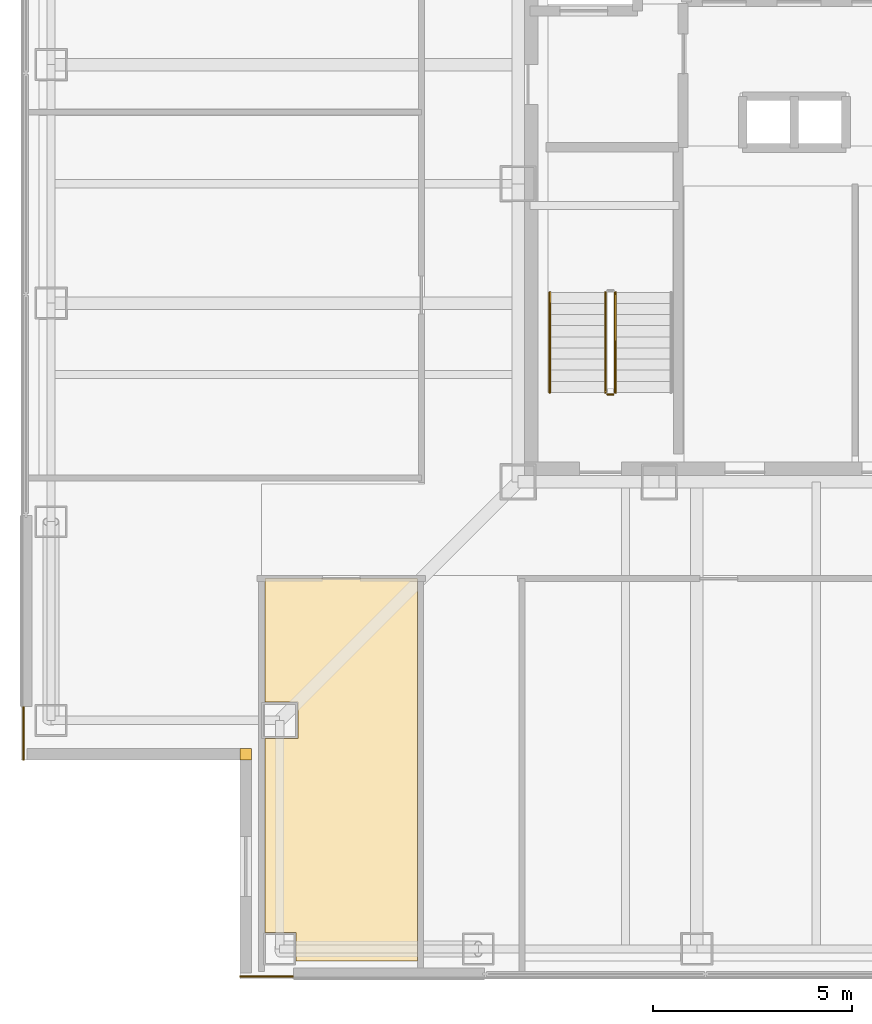
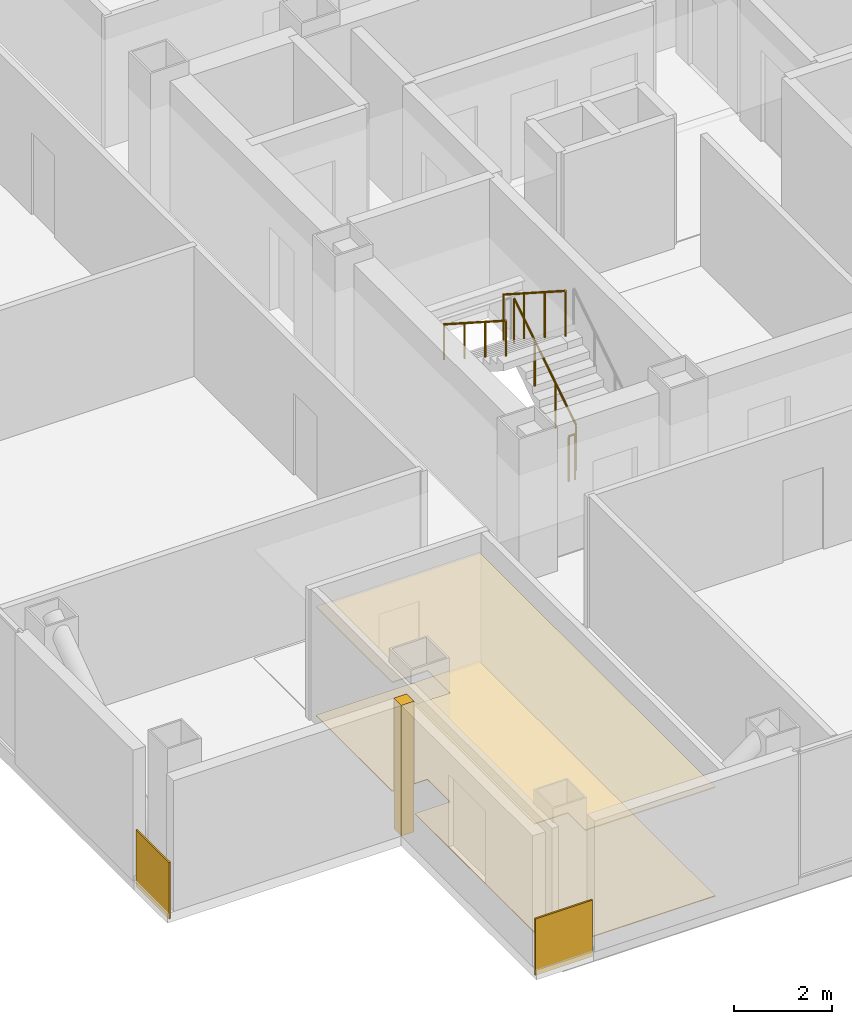
# One storey, part 11 of 16: 5 coverings, 4 railings.
"""IFC4 building model written with IfcOpenShell, lengths in metres."""

import ifcopenshell
import ifcopenshell.guid

model = None  # the IFC model being written
_history = None  # IfcOwnerHistory: only IFC2X3 demands one
_inside = {}  # id of a spatial element -> (the spatial element, [elements in it])
_under = {}  # id of a project, library or spatial element -> (it, [spatial elements below it])
_declared = {}  # id of a project -> (the project, [libraries it declares])
_typed = {}  # id of a type object -> (the type object, [elements of that type])
_made_of = {}  # id of a material, layer set ... -> (it, [elements and type objects made of it])


def new_model(schema):
    """Start an empty IFC model of exactly this schema.

    Asked for "IFC4X3", IfcOpenShell would pick the latest addendum, in which some entities
    have other attributes; the version numbers below select the first issue.
    IFC2X3 requires an IfcOwnerHistory on every rooted entity: one is made here for all.
    """
    global model, _history
    if schema == "IFC4X3":
        model = ifcopenshell.file(schema_version=(4, 3, 0, 0))
    else:
        model = ifcopenshell.file(schema=schema)
    _inside.clear()
    _under.clear()
    _declared.clear()
    _typed.clear()
    _made_of.clear()
    _history = None
    if model.schema == "IFC2X3":
        org = make("IfcOrganization", Name="unknown")
        user = make(
            "IfcPersonAndOrganization",
            ThePerson=make("IfcPerson", FamilyName="unknown"),
            TheOrganization=org,
        )
        app = make(
            "IfcApplication",
            ApplicationDeveloper=org,
            Version="unknown",
            ApplicationFullName="unknown",
            ApplicationIdentifier="unknown",
        )
        _history = make(
            "IfcOwnerHistory",
            OwningUser=user,
            OwningApplication=app,
            ChangeAction="ADDED",
            CreationDate=0,
        )
    return model


def make(cls, **values):
    """One entity of the class cls with the attributes given. An attribute that is None is left unset."""
    return model.create_entity(
        cls, **{name: value for name, value in values.items() if value is not None}
    )


def rooted(cls, **values):
    """An entity with a GlobalId (a new one), such as an element, a storey or a relation."""
    return make(cls, GlobalId=ifcopenshell.guid.new(), OwnerHistory=_history, **values)


def si_unit(unit_type, name, prefix=None):
    """IfcSIUnit, for example si_unit("LENGTHUNIT", "METRE", prefix="MILLI")."""
    return make("IfcSIUnit", UnitType=unit_type, Prefix=prefix, Name=name)


def assignment(units):
    """IfcUnitAssignment: the units of a project."""
    return None if units is None else make("IfcUnitAssignment", Units=units)


def point(xyz):
    """IfcCartesianPoint."""
    return None if xyz is None else make("IfcCartesianPoint", Coordinates=xyz)


def direction(xyz):
    """IfcDirection."""
    return None if xyz is None else make("IfcDirection", DirectionRatios=xyz)


def frame(location, z_axis=None, x_axis=None):
    """IfcAxis2Placement3D, a coordinate frame: its origin and axes. An axis left out is left unset."""
    return make(
        "IfcAxis2Placement3D",
        Location=point(location),
        Axis=direction(z_axis),
        RefDirection=direction(x_axis),
    )


def frame_2d(location, x_axis=None):
    """IfcAxis2Placement2D, a coordinate frame in the plane: its origin and x axis."""
    return make(
        "IfcAxis2Placement2D", Location=point(location), RefDirection=direction(x_axis)
    )


def origin():
    """The frame at (0, 0, 0) with its axes left unset."""
    return frame((0.0, 0.0, 0.0))


def origin_2d():
    """The frame at (0, 0) in the plane with its x axis left unset."""
    return frame_2d((0.0, 0.0))


def place(relative_to, where):
    """IfcLocalPlacement: puts the frame where relative to a parent placement (None: the world)."""
    return make(
        "IfcLocalPlacement", PlacementRelTo=relative_to, RelativePlacement=where
    )


def context(
    kind, dimensions, precision=None, world=None, true_north=None, identifier=None
):
    """IfcGeometricRepresentationContext, for example the 3D "Model" context."""
    return make(
        "IfcGeometricRepresentationContext",
        ContextIdentifier=identifier,
        ContextType=kind,
        CoordinateSpaceDimension=dimensions,
        Precision=precision,
        WorldCoordinateSystem=world,
        TrueNorth=true_north,
    )


def subcontext(parent, identifier, kind, view, scale=None):
    """IfcGeometricRepresentationSubContext, for example "Body" below "Model"."""
    return make(
        "IfcGeometricRepresentationSubContext",
        ContextIdentifier=identifier,
        ContextType=kind,
        ParentContext=parent,
        TargetScale=scale,
        TargetView=view,
    )


def project(units=None, contexts=None):
    """IfcProject with its units and contexts."""
    return rooted(
        "IfcProject",
        Name="project",
        RepresentationContexts=contexts,
        UnitsInContext=assignment(units),
    )


def spatial(cls, under=None, at=None, **own):
    """A site, building, storey or space (cls), placed at a placement, below another one or the project."""
    s = rooted(cls, ObjectPlacement=at, **own)
    if under is not None:
        _under.setdefault(under.id(), (under, []))[1].append(s)
    return s


def polyline(points):
    """IfcPolyline through the points."""
    return make("IfcPolyline", Points=[point(p) for p in points])


def profile(cls, at=None, kind="AREA", **sizes):
    """A parametric profile (cls). Its sizes go by their IFC names, for example OverallWidth=200.0."""
    return make(cls, ProfileType=kind, Position=at, **sizes)


def rectangle(**sizes):
    """IfcRectangleProfileDef."""
    return profile("IfcRectangleProfileDef", **sizes)


def circle(**sizes):
    """IfcCircleProfileDef."""
    return profile("IfcCircleProfileDef", **sizes)


def outline(outer, holes=None, kind="AREA"):
    """IfcArbitraryClosedProfileDef: a profile drawn as a closed curve; with holes, ...WithVoids."""
    if holes is None:
        return make("IfcArbitraryClosedProfileDef", ProfileType=kind, OuterCurve=outer)
    return make(
        "IfcArbitraryProfileDefWithVoids",
        ProfileType=kind,
        OuterCurve=outer,
        InnerCurves=holes,
    )


def extrude(swept, where, along, depth):
    """IfcExtrudedAreaSolid: the profile swept, set in the frame where, extruded along a direction by depth."""
    return make(
        "IfcExtrudedAreaSolid",
        SweptArea=swept,
        Position=where,
        ExtrudedDirection=direction(along),
        Depth=depth,
    )


def shape(context_of_items, identifier, shape_type, items):
    """IfcShapeRepresentation: the items that make up one representation, for example the "Body"."""
    return make(
        "IfcShapeRepresentation",
        ContextOfItems=context_of_items,
        RepresentationIdentifier=identifier,
        RepresentationType=shape_type,
        Items=items,
    )


def material(Name=None, Category=None):
    """IfcMaterial."""
    return make("IfcMaterial", Name=Name, Category=Category)


def layer(
    of_material, thickness, ventilated=None, Name=None, Category=None, Priority=None
):
    """IfcMaterialLayer: one layer of a wall or slab, of a material (None: an air gap)."""
    return make(
        "IfcMaterialLayer",
        Material=of_material,
        LayerThickness=thickness,
        IsVentilated=ventilated,
        Name=Name,
        Category=Category,
        Priority=Priority,
    )


def layer_set(layers, Name=None):
    """IfcMaterialLayerSet."""
    return make("IfcMaterialLayerSet", MaterialLayers=layers, LayerSetName=Name)


def made_of(thing, what):
    """Note that an element or type object is made of a material, layer set ...; save() writes the relation."""
    if what is not None:
        _made_of.setdefault(what.id(), (what, []))[1].append(thing)
    return thing


def type_object(cls, material=None, **own):
    """A type object (cls), such as IfcWallType, which elements share."""
    return made_of(rooted(cls, **own), material)


def element(
    cls,
    number,
    at=None,
    inside=None,
    cuts=None,
    type_object=None,
    material=None,
    context=None,
    identifier="Body",
    shape_type=None,
    held_by="IfcProductDefinitionShape",
    body=None,
    shapes=None,
    **own,
):
    """One element of the class cls, such as IfcWall. Its Tag is "e" and its number.

    at: its placement. inside: the storey or other place that contains it. cuts: it is an
    opening in that element (IfcRelVoidsElement). A single representation is given by context,
    identifier, shape_type and body (its items); several are given by shapes. held_by: the class
    of the entity that holds the representations. save() writes the other relations.
    """
    e = rooted(cls, Tag="e%d" % number, ObjectPlacement=at, **own)
    if body is not None:
        shapes = [shape(context, identifier, shape_type, body)]
    if shapes is not None:
        e.Representation = make(held_by, Representations=shapes)
    if inside is not None:
        _inside.setdefault(inside.id(), (inside, []))[1].append(e)
    if cuts is not None:
        rooted(
            "IfcRelVoidsElement", RelatingBuildingElement=cuts, RelatedOpeningElement=e
        )
    if type_object is not None:
        _typed.setdefault(type_object.id(), (type_object, []))[1].append(e)
    return made_of(e, material)


def aggregate(whole, parts):
    """IfcRelAggregates: a whole, such as a stair, and the parts it consists of."""
    return rooted("IfcRelAggregates", RelatingObject=whole, RelatedObjects=parts)


def save(model, path):
    """Write the relations noted so far, then the file.

    IfcRelAggregates (storeys below a building ...), IfcRelContainedInSpatialStructure (elements
    in a storey), IfcRelDefinesByType, IfcRelAssociatesMaterial and IfcRelDeclares: one each for
    every whole, place, type object, material and project.
    """
    for whole, parts in _under.values():
        aggregate(whole, parts)
    for where, things in _inside.values():
        rooted(
            "IfcRelContainedInSpatialStructure",
            RelatedElements=things,
            RelatingStructure=where,
        )
    for kind, things in _typed.values():
        rooted("IfcRelDefinesByType", RelatedObjects=things, RelatingType=kind)
    for what, things in _made_of.values():
        rooted("IfcRelAssociatesMaterial", RelatedObjects=things, RelatingMaterial=what)
    for by, libraries in _declared.values():
        rooted("IfcRelDeclares", RelatingContext=by, RelatedDefinitions=libraries)
    model.write(path)


model = new_model("IFC4")

# Units and contexts
model_context = context("Model", 3, precision=1e-05, world=origin(), true_north=direction((0.0, 1.0)))
body_context = subcontext(model_context, "Body", "Model", "MODEL_VIEW")
ifc_project = project(units=[si_unit("LENGTHUNIT", "METRE"), si_unit("AREAUNIT", "SQUARE_METRE"), si_unit("VOLUMEUNIT", "CUBIC_METRE"), si_unit("PLANEANGLEUNIT", "RADIAN"), si_unit("MASSUNIT", "GRAM", prefix="KILO")], contexts=[model_context])

# Site, building, storey
site_placement = place(None, origin())
site = spatial("IfcSite", under=ifc_project, at=site_placement, CompositionType="ELEMENT")
building_placement = place(site_placement, origin())
building = spatial("IfcBuilding", under=site, at=building_placement, Name="Trevonay Congress Spire", CompositionType="ELEMENT")
storey_placement = place(building_placement, frame((0.0, 0.0, 223.800048828125)))
storey = spatial("IfcBuildingStorey", under=building, at=storey_placement, Name="L58", CompositionType="ELEMENT", Elevation=223.800048828125)

# Coverings
ifc_material_1 = material(Name="Acoustic Mineral Fibre Board", Category="gypsum")
ifc_layer_1 = layer(ifc_material_1, 0.02490234375, Name="Acoustic Mineral Fibre Board")
ifc_layer_set_1 = layer_set([ifc_layer_1], Name="Acoustic Mineral Fibre Board")
covering_type_1 = type_object("IfcCoveringType", Name="COV-CEIL-ACOUSTIC", PredefinedType="CEILING", material=ifc_layer_set_1)
covering_1_placement = place(storey_placement, frame((0.0, 0.0, 2.699951171875)))
element("IfcCovering", 1, at=covering_1_placement, inside=storey, type_object=covering_type_1, Name="L58 VIP Buyer Reception Salon acoustic suspended ceiling", PredefinedType="CEILING", context=body_context, shape_type="SweptSolid", body=[
    extrude(outline(polyline([(-13.8701171875, -9.929931640625), (-10.030029296875, -9.929931640625), (-10.030029296875, -19.550048828125), (-13.090087890625, -19.550048828125), (-13.090087890625, -18.840087890625), (-13.8701171875, -18.840087890625), (-13.8701171875, -13.9599609375), (-13.0400390625, -13.9599609375), (-13.0400390625, -13.0400390625), (-13.8701171875, -13.0400390625), (-13.8701171875, -9.929931640625)])), origin(), (0.0, 0.0, 1.0), 0.02490234375),
])
ifc_material_2 = material(Name="Engineered Oak Flooring", Category="wood")
ifc_layer_2 = layer(ifc_material_2, 0.01806640625, Name="Engineered Oak Flooring")
ifc_layer_set_2 = layer_set([ifc_layer_2], Name="Engineered Oak Flooring")
covering_type_2 = type_object("IfcCoveringType", Name="COV-FLOOR-TIMBER", PredefinedType="FLOORING", material=ifc_layer_set_2)
covering_2_placement = place(storey_placement, origin())
element("IfcCovering", 2, at=covering_2_placement, inside=storey, type_object=covering_type_2, Name="L58 VIP Buyer Reception Salon floor finish", PredefinedType="FLOORING", context=body_context, shape_type="SweptSolid", body=[
    extrude(outline(polyline([(-13.8701171875, -9.929931640625), (-10.030029296875, -9.929931640625), (-10.030029296875, -19.550048828125), (-13.090087890625, -19.550048828125), (-13.090087890625, -18.840087890625), (-13.8701171875, -18.840087890625), (-13.8701171875, -13.9599609375), (-13.0400390625, -13.9599609375), (-13.0400390625, -13.0400390625), (-13.8701171875, -13.0400390625), (-13.8701171875, -9.929931640625)])), origin(), (0.0, 0.0, 1.0), 0.01806640625),
])
ifc_material_3 = material(Name="Pale Anodised Aluminium EN AW-6063-T6", Category="aluminium")
ifc_layer_3 = layer(ifc_material_3, 0.0400390625, Name="Pale Anodised Aluminium EN AW-6063-T6")
ifc_layer_set_3 = layer_set([ifc_layer_3], Name="Pale Anodised Aluminium EN AW-6063-T6")
covering_type_3 = type_object("IfcCoveringType", Name="COV-SPANDREL-PALE-METAL", PredefinedType="CLADDING", material=ifc_layer_set_3)
covering_3_placement = place(storey_placement, origin())
element("IfcCovering", 3, at=covering_3_placement, inside=storey, type_object=covering_type_3, Name="L58 SW re-entrant notch corner closure trim", PredefinedType="CLADDING", context=body_context, shape_type="SweptSolid", body=[
    extrude(outline(polyline([(-14.5, -14.5), (-14.199951171875, -14.5), (-14.199951171875, -14.199951171875), (-14.5, -14.199951171875), (-14.5, -14.5)])), origin(), (0.0, 0.0, 1.0), 3.25),
])
for number, where, z_axis, x_axis, name in (
    (4, (-19.93994140625, -13.14990234375, -0.150146484375), (0.0, 0.0, 1.0), (0.0, -1.0, 0.0), "L58 SW corner pier spandrel cladding 1"),
    (5, (-13.14990234375, -19.93994140625, -0.150146484375), (0.0, 0.0, 1.0), (-1.0, 0.0, 0.0), "L58 SW corner pier spandrel cladding 2"),
):
    element("IfcCovering", number, at=place(storey_placement, frame(where, z_axis=z_axis, x_axis=x_axis)), inside=storey, type_object=covering_type_3, Name=name, PredefinedType="CLADDING", context=body_context, shape_type="SweptSolid", body=[
        extrude(rectangle(XDim=1.35009765625, YDim=0.0400390625, at=frame_2d((0.675048828125, 0.0))), origin(), (0.0, 0.0, 1.0), 1.400146484375),
    ])

# Railings
railing_type_1 = type_object("IfcRailingType", Name="RAL-STAIR-GUARD-110", PredefinedType="GUARDRAIL", material=ifc_material_3)
railing_1_placement = place(storey_placement, frame((-5.050048828125, -5.25, 0.179931640625)))
element("IfcRailing", 6, at=railing_1_placement, inside=storey, type_object=railing_type_1, Name="L58 ST-1 stair guard 1", PredefinedType="GUARDRAIL", context=body_context, shape_type="SweptSolid", body=[
    extrude(circle(Radius=0.02392578125, at=origin_2d()), frame((0.0, 0.0, 1.1259765625), z_axis=(0.0, 0.841162588446, 0.540782303519), x_axis=(-1.0, 0.0, 0.0)), (0.0, 0.0, 1.0), 2.995849609375),
    extrude(circle(Radius=0.02099609375, at=origin_2d()), origin(), (0.0, 0.0, 1.0), 1.101806640625),
    extrude(circle(Radius=0.02099609375, at=origin_2d()), frame((0.0, 0.840087890625, 0.5400390625)), (0.0, 0.0, 1.0), 1.101806640625),
    extrude(circle(Radius=0.02099609375, at=origin_2d()), frame((0.0, 1.679931640625, 1.080078125)), (0.0, 0.0, 1.0), 1.101806640625),
    extrude(circle(Radius=0.02099609375, at=origin_2d()), frame((0.0, 2.52001953125, 1.6201171875)), (0.0, 0.0, 1.0), 1.101806640625),
])
railing_2_placement = place(storey_placement, frame((-5.300048828125, -2.72998046875, 1.97998046875)))
element("IfcRailing", 7, at=railing_2_placement, inside=storey, type_object=railing_type_1, Name="L58 ST-1 stair guard 3", PredefinedType="GUARDRAIL", context=body_context, shape_type="SweptSolid", body=[
    extrude(circle(Radius=0.02392578125, at=origin_2d()), frame((0.0, 0.0, 1.1259765625), z_axis=(0.0, -0.841199657755, 0.540724639528), x_axis=(1.0, 0.0, 0.0)), (0.0, 0.0, 1.0), 2.995849609375),
    extrude(circle(Radius=0.02099609375, at=origin_2d()), origin(), (0.0, 0.0, 1.0), 1.101806640625),
    extrude(circle(Radius=0.02099609375, at=origin_2d()), frame((0.0, -0.840087890625, 0.5400390625)), (0.0, 0.0, 1.0), 1.101806640625),
    extrude(circle(Radius=0.02099609375, at=origin_2d()), frame((0.0, -1.679931640625, 1.079833984375)), (0.0, 0.0, 1.0), 1.101806640625),
    extrude(circle(Radius=0.02099609375, at=origin_2d()), frame((0.0, -2.52001953125, 1.619873046875)), (0.0, 0.0, 1.0), 1.101806640625),
])
railing_3_placement = place(storey_placement, frame((-5.10009765625, -5.300048828125, 0.0)))
element("IfcRailing", 8, at=railing_3_placement, inside=storey, type_object=railing_type_1, Name="L58 ST-1 stair guard 4", PredefinedType="GUARDRAIL", context=body_context, shape_type="SweptSolid", body=[
    extrude(circle(Radius=0.02392578125, at=origin_2d()), frame((0.0, 0.0, 1.1259765625), z_axis=(-1.0, 0.0, 0.0), x_axis=(0.0, -1.0, 0.0)), (0.0, 0.0, 1.0), 0.14990234375),
    extrude(circle(Radius=0.02099609375, at=origin_2d()), origin(), (0.0, 0.0, 1.0), 1.101806640625),
    extrude(circle(Radius=0.02099609375, at=origin_2d()), frame((-0.14990234375, 0.0, 0.0)), (0.0, 0.0, 1.0), 1.101806640625),
])
railing_type_2 = type_object("IfcRailingType", Name="RAL-STAIR-HANDRAIL", PredefinedType="HANDRAIL", material=ifc_material_3)
railing_4_placement = place(storey_placement, frame((-6.699951171875, -2.72998046875, 1.97998046875)))
element("IfcRailing", 9, at=railing_4_placement, inside=storey, type_object=railing_type_2, Name="L58 ST-1 stair handrail 2", PredefinedType="HANDRAIL", context=body_context, shape_type="SweptSolid", body=[
    extrude(circle(Radius=0.02392578125, at=origin_2d()), frame((0.0, 0.0, 0.8759765625), z_axis=(0.0, -0.841199657755, 0.540724639528), x_axis=(1.0, 0.0, 0.0)), (0.0, 0.0, 1.0), 2.995849609375),
    extrude(circle(Radius=0.02099609375, at=origin_2d()), origin(), (0.0, 0.0, 1.0), 0.851806640625),
    extrude(circle(Radius=0.02099609375, at=origin_2d()), frame((0.0, -0.840087890625, 0.5400390625)), (0.0, 0.0, 1.0), 0.851806640625),
    extrude(circle(Radius=0.02099609375, at=origin_2d()), frame((0.0, -1.679931640625, 1.079833984375)), (0.0, 0.0, 1.0), 0.851806640625),
    extrude(circle(Radius=0.02099609375, at=origin_2d()), frame((0.0, -2.52001953125, 1.619873046875)), (0.0, 0.0, 1.0), 0.851806640625),
])

save(model, "model.ifc")
